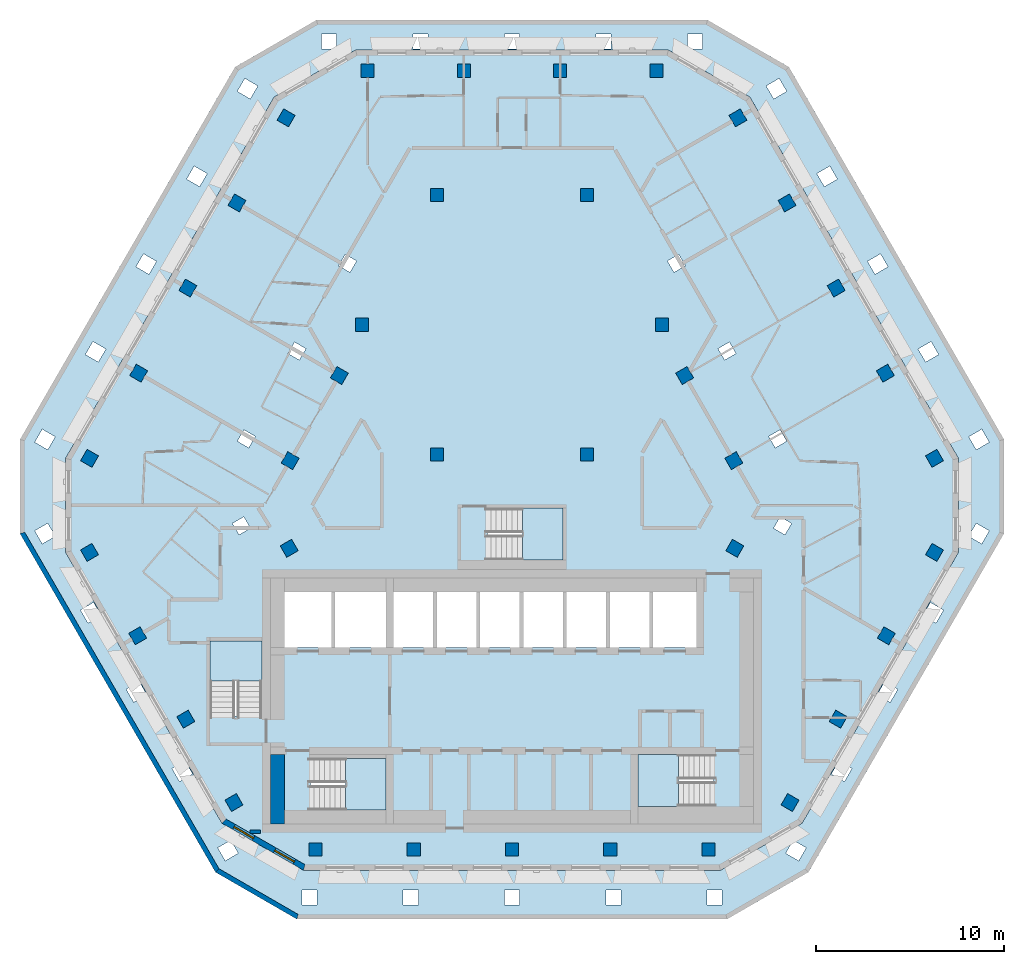
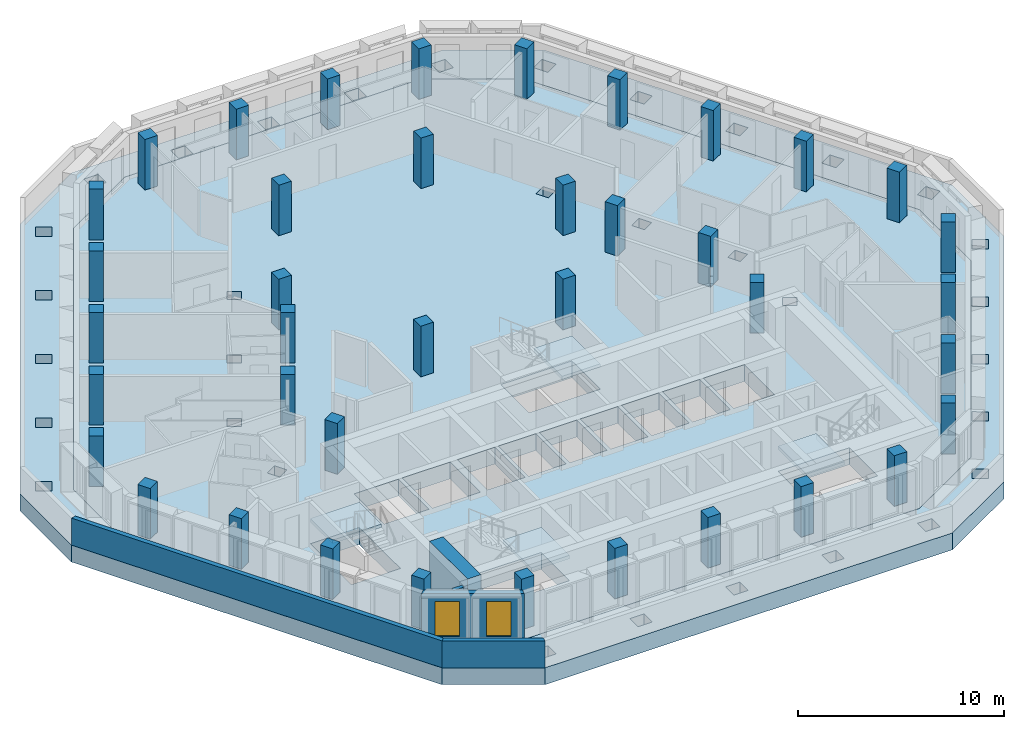
# One storey, part 1 of 15: 39 columns, 6 slabs, 5 walls, 2 windows, 2 openings, 4 elements without a shape of their own.
"""IFC4 building model written with IfcOpenShell, lengths in metres."""

from ifc_helpers import new_model, si_unit, direction, frame, frame_2d, origin, origin_2d, place, context, subcontext, project, spatial, polyline, rectangle, outline, extrude, material, layer, layer_set, material_profile, profile_set, type_object, element, fill, aggregate, save


model = new_model("IFC4")

# Units and contexts
model_context = context("Model", 3, precision=1e-05, world=origin(), true_north=direction((0.0, 1.0)))
body_context = subcontext(model_context, "Body", "Model", "MODEL_VIEW")
ifc_project = project(units=[si_unit("LENGTHUNIT", "METRE"), si_unit("AREAUNIT", "SQUARE_METRE"), si_unit("VOLUMEUNIT", "CUBIC_METRE"), si_unit("PLANEANGLEUNIT", "RADIAN"), si_unit("MASSUNIT", "GRAM", prefix="KILO")], contexts=[model_context])

# Site, building, storey
site_placement = place(None, origin())
site = spatial("IfcSite", under=ifc_project, at=site_placement, CompositionType="ELEMENT")
building_placement = place(site_placement, origin())
building = spatial("IfcBuilding", under=site, at=building_placement, Name="Beryl Residences", CompositionType="ELEMENT")
storey_placement = place(building_placement, frame((0.0, 0.0, 202.800048828125)))
storey = spatial("IfcBuildingStorey", under=building, at=storey_placement, Name="L62", CompositionType="ELEMENT", Elevation=202.800048828125)

# Columns
ifc_material_1 = material(Name="Concrete C50/60", Category="concrete")
ifc_material_profile_1 = material_profile(ifc_material_1, rectangle(XDim=0.699951171875, YDim=0.699951171875, at=origin_2d()))
ifc_profile_set_1 = profile_set([ifc_material_profile_1], Name="Concrete C50/60")
column_type_1 = type_object("IfcColumnType", Name="C5 tube column 700 x 700 C50/60", PredefinedType="COLUMN", material=ifc_profile_set_1)
for number, where, z_axis, x_axis, name in (
    (1, (7.678955078125, 21.5, 0.0), (0.0, 0.0, 1.0), (-1.0, 0.0, 0.0), "C5-N1 L62"),
    (2, (2.56005859375, 21.5, 0.0), (0.0, 0.0, 1.0), (-1.0, 0.0, 0.0), "C5-N2 L62"),
    (3, (-2.55908203125, 21.5, 0.0), (0.0, 0.0, 1.0), (-1.0, 0.0, 0.0), "C5-N3 L62"),
    (4, (-7.677978515625, 21.5, 0.0), (0.0, 0.0, 1.0), (-1.0, 0.0, 0.0), "C5-N4 L62"),
    (5, (-12.009033203125, 19.0, 0.0), (0.0, 0.0, 1.0), (-0.499969769706, -0.866042856549, 0.0), "C5-NW1 L62"),
    (6, (-14.62109375, 14.47509765625, 0.0), (0.0, 0.0, 1.0), (-0.499969769706, -0.866042856549, 0.0), "C5-NW2 L62"),
    (7, (-17.23291015625, 9.949951171875, 0.0), (0.0, 0.0, 1.0), (-0.499969769706, -0.866042856549, 0.0), "C5-NW3 L62"),
    (8, (-19.845947265625, 5.425048828125, 0.0), (0.0, 0.0, 1.0), (-0.499969769706, -0.866042856549, 0.0), "C5-NW4 L62"),
    (9, (-22.4580078125, 0.89990234375, 0.0), (0.0, 0.0, 1.0), (-0.499969769706, -0.866042856549, 0.0), "C5-NW5 L62"),
    (10, (-22.458984375, -4.10009765625, 0.0), (0.0, 0.0, 1.0), (0.499984884929, -0.866034130299, 0.0), "C5-SW1 L62"),
    (11, (-19.89892578125, -8.532958984375, 0.0), (0.0, 0.0, 1.0), (0.499984884929, -0.866034130299, 0.0), "C5-SW2 L62"),
    (12, (-17.340087890625, -12.966064453125, 0.0), (0.0, 0.0, 1.0), (0.499984884929, -0.866034130299, 0.0), "C5-SW3 L62"),
    (13, (-14.781005859375, -17.39892578125, 0.0), (0.0, 0.0, 1.0), (0.499984884929, -0.866034130299, 0.0), "C5-SW4 L62"),
    (14, (-10.449951171875, -19.89990234375, 0.0), (0.0, 0.0, 1.0), (1.0, 0.0, 0.0), "C5-S1 L62"),
    (15, (-5.22509765625, -19.89990234375, 0.0), (0.0, 0.0, 1.0), (1.0, 0.0, 0.0), "C5-S2 L62"),
    (16, (0.0, -19.89990234375, 0.0), (0.0, 0.0, 1.0), (1.0, 0.0, 0.0), "C5-S3 L62"),
    (17, (5.22509765625, -19.89990234375, 0.0), (0.0, 0.0, 1.0), (1.0, 0.0, 0.0), "C5-S4 L62"),
    (18, (10.449951171875, -19.89990234375, 0.0), (0.0, 0.0, 1.0), (1.0, 0.0, 0.0), "C5-S5 L62"),
    (19, (14.780029296875, -17.39990234375, 0.0), (0.0, 0.0, 1.0), (0.499984884929, 0.866034130299, 0.0), "C5-SE1 L62"),
    (20, (17.339111328125, -12.967041015625, 0.0), (0.0, 0.0, 1.0), (0.499984884929, 0.866034130299, 0.0), "C5-SE2 L62"),
    (21, (19.89892578125, -8.533935546875, 0.0), (0.0, 0.0, 1.0), (0.499984884929, 0.866034130299, 0.0), "C5-SE3 L62"),
    (22, (22.4580078125, -4.10107421875, 0.0), (0.0, 0.0, 1.0), (0.499984884929, 0.866034130299, 0.0), "C5-SE4 L62"),
    (23, (22.4580078125, 0.89990234375, 0.0), (0.0, 0.0, 1.0), (-0.499969769706, 0.866042856549, 0.0), "C5-NE1 L62"),
    (24, (19.845947265625, 5.425048828125, 0.0), (0.0, 0.0, 1.0), (-0.499969769706, 0.866042856549, 0.0), "C5-NE2 L62"),
    (25, (17.23291015625, 9.949951171875, 0.0), (0.0, 0.0, 1.0), (-0.499969769706, 0.866042856549, 0.0), "C5-NE3 L62"),
    (26, (14.62109375, 14.47509765625, 0.0), (0.0, 0.0, 1.0), (-0.499969769706, 0.866042856549, 0.0), "C5-NE4 L62"),
    (27, (12.009033203125, 19.0, 0.0), (0.0, 0.0, 1.0), (-0.499969769706, 0.866042856549, 0.0), "C5-NE5 L62"),
):
    element("IfcColumn", number, at=place(storey_placement, frame(where, z_axis=z_axis, x_axis=x_axis)), inside=storey, type_object=column_type_1, Name=name, PredefinedType="COLUMN", context=body_context, shape_type="SweptSolid", body=[
        extrude(rectangle(XDim=0.699951171875, YDim=0.699951171875, at=origin_2d()), origin(), (0.0, 0.0, 1.0), 3.0),
    ])
ifc_material_2 = material(Name="Concrete C50/60", Category="concrete")
ifc_material_profile_2 = material_profile(ifc_material_2, rectangle(XDim=0.699951171875, YDim=0.699951171875, at=origin_2d()))
ifc_profile_set_2 = profile_set([ifc_material_profile_2], Name="Concrete C50/60")
column_type_2 = type_object("IfcColumnType", Name="IC5 interior column 700 x 700 C50/60", PredefinedType="COLUMN", material=ifc_profile_set_2)
for number, where, z_axis, x_axis, name in (
    (28, (-11.844970703125, -3.883056640625, 0.0), (0.0, 0.0, 1.0), (0.499984884929, -0.866034130299, 0.0), "IC5-M01 L62"),
    (29, (11.844970703125, -3.884033203125, 0.0), (0.0, 0.0, 1.0), (0.499984884929, 0.866034130299, 0.0), "IC5-M02 L62"),
    (30, (11.7919921875, 0.77490234375, 0.0), (0.0, 0.0, 1.0), (-0.499969769706, 0.866042856549, 0.0), "IC5-M03 L62"),
    (31, (3.98388671875, 1.10009765625, 0.0), (0.0, 0.0, 1.0), (1.0, 0.0, 0.0), "IC5-A04 L62"),
    (32, (9.178955078125, 5.300048828125, 0.0), (0.0, 0.0, 1.0), (-0.499969769706, 0.866042856549, 0.0), "IC5-M05 L62"),
    (33, (7.967041015625, 8.0, 0.0), (0.0, 0.0, 1.0), (1.0, 0.0, 0.0), "IC5-A06 L62"),
    (34, (3.98388671875, 14.89990234375, 0.0), (0.0, 0.0, 1.0), (1.0, 0.0, 0.0), "IC5-A07 L62"),
    (35, (-3.98388671875, 14.89990234375, 0.0), (0.0, 0.0, 1.0), (1.0, 0.0, 0.0), "IC5-A08 L62"),
    (36, (-7.967041015625, 8.0, 0.0), (0.0, 0.0, 1.0), (1.0, 0.0, 0.0), "IC5-A09 L62"),
    (37, (-9.178955078125, 5.300048828125, 0.0), (0.0, 0.0, 1.0), (-0.499969769706, -0.866042856549, 0.0), "IC5-M10 L62"),
    (38, (-3.98388671875, 1.10009765625, 0.0), (0.0, 0.0, 1.0), (1.0, 0.0, 0.0), "IC5-A11 L62"),
    (39, (-11.7919921875, 0.77490234375, 0.0), (0.0, 0.0, 1.0), (-0.499969769706, -0.866042856549, 0.0), "IC5-M12 L62"),
):
    element("IfcColumn", number, at=place(storey_placement, frame(where, z_axis=z_axis, x_axis=x_axis)), inside=storey, type_object=column_type_2, Name=name, PredefinedType="COLUMN", context=body_context, shape_type="SweptSolid", body=[
        extrude(rectangle(XDim=0.699951171875, YDim=0.699951171875, at=origin_2d()), origin(), (0.0, 0.0, 1.0), 3.0),
    ])

# Slabs
ifc_material_3 = material(Name="Concrete C60/75", Category="concrete")
ifc_layer_1 = layer(ifc_material_3, 1.0)
ifc_layer_set_1 = layer_set([ifc_layer_1], Name="SL11 roof strip slab 1000 mm C60/75")
slab_type_1 = type_object("IfcSlabType", Name="SL11 roof strip slab 1000 mm C60/75", PredefinedType="ROOF", material=ifc_layer_set_1)
slab_1_placement = place(storey_placement, frame((0.0, 0.0, -1.0)))
element("IfcSlab", 40, at=slab_1_placement, inside=storey, type_object=slab_type_1, Name="roof L62 1 1", PredefinedType="ROOF", context=body_context, shape_type="SweptSolid", body=[
    extrude(outline(polyline([(26.154052734375, -3.10009765625), (15.760986328125, -21.10009765625), (11.430908203125, -23.60009765625), (-11.430908203125, -23.60009765625), (-15.760986328125, -21.10009765625), (-26.154052734375, -3.10009765625), (-26.154052734375, 1.89990234375), (-14.721923828125, 21.699951171875), (-10.39208984375, 24.199951171875), (10.39208984375, 24.199951171875), (14.721923828125, 21.699951171875), (26.154052734375, 1.89990234375), (26.154052734375, -3.10009765625)]), holes=[polyline([(25.3720703125, 1.75390625), (24.971923828125, 2.446044921875), (24.280029296875, 2.0458984375), (24.679931640625, 1.35400390625), (25.3720703125, 1.75390625)]), polyline([(25.37109375, -2.955078125), (24.678955078125, -2.554931640625), (24.279052734375, -3.2470703125), (24.970947265625, -3.64697265625), (25.37109375, -2.955078125)]), polyline([(8.314208984375, 22.60107421875), (-8.31396484375, 22.60107421875), (-12.64453125, 20.100830078125), (-23.72998046875, 0.900390625), (-23.72998046875, -4.10009765625), (-15.416015625, -18.50048828125), (-11.08544921875, -21.0009765625), (11.0849609375, -21.0009765625), (15.41552734375, -18.5009765625), (23.72998046875, -4.1005859375), (23.72998046875, 0.89990234375), (12.64501953125, 20.1005859375), (8.314208984375, 22.60107421875)]), polyline([(22.93896484375, -7.16796875), (22.2470703125, -6.76806640625), (21.846923828125, -7.4599609375), (22.5390625, -7.860107421875), (22.93896484375, -7.16796875)]), polyline([(22.679931640625, 6.416015625), (22.280029296875, 7.10791015625), (21.587890625, 6.7080078125), (21.988037109375, 6.01611328125), (22.679931640625, 6.416015625)]), polyline([(19.81494140625, -10.97998046875), (19.4150390625, -11.672119140625), (20.10693359375, -12.072021484375), (20.507080078125, -11.3798828125), (19.81494140625, -10.97998046875)]), polyline([(19.587890625, 11.77099609375), (18.89599609375, 11.37109375), (19.2958984375, 10.678955078125), (19.988037109375, 11.0791015625), (19.587890625, 11.77099609375)]), polyline([(17.675048828125, -16.283935546875), (18.074951171875, -15.592041015625), (17.383056640625, -15.19189453125), (16.98291015625, -15.884033203125), (17.675048828125, -16.283935546875)]), polyline([(17.2958984375, 15.741943359375), (16.89599609375, 16.43408203125), (16.2041015625, 16.033935546875), (16.60400390625, 15.342041015625), (17.2958984375, 15.741943359375)]), polyline([(15.242919921875, -20.4970703125), (15.64306640625, -19.804931640625), (14.950927734375, -19.405029296875), (14.551025390625, -20.096923828125), (15.242919921875, -20.4970703125)]), polyline([(14.60400390625, 20.404052734375), (14.2041015625, 21.095947265625), (13.511962890625, 20.696044921875), (13.912109375, 20.00390625), (14.60400390625, 20.404052734375)]), polyline([(11.1689453125, -22.85009765625), (11.1689453125, -22.050048828125), (10.368896484375, -22.050048828125), (10.368896484375, -22.85009765625), (11.1689453125, -22.85009765625)]), polyline([(10.1279296875, 23.449951171875), (9.327880859375, 23.449951171875), (9.327880859375, 22.64990234375), (10.1279296875, 22.64990234375), (10.1279296875, 23.449951171875)]), polyline([(4.985107421875, -22.85009765625), (5.784912109375, -22.85009765625), (5.784912109375, -22.050048828125), (4.985107421875, -22.050048828125), (4.985107421875, -22.85009765625)]), polyline([(5.263916015625, 23.449951171875), (4.464111328125, 23.449951171875), (4.464111328125, 22.64990234375), (5.263916015625, 22.64990234375), (5.263916015625, 23.449951171875)]), polyline([(0.40087890625, -22.050048828125), (-0.39892578125, -22.050048828125), (-0.39892578125, -22.85009765625), (0.40087890625, -22.85009765625), (0.40087890625, -22.050048828125)]), polyline([(-0.39990234375, 22.64990234375), (0.39990234375, 22.64990234375), (0.39990234375, 23.449951171875), (-0.39990234375, 23.449951171875), (-0.39990234375, 22.64990234375)]), polyline([(-4.464111328125, 23.449951171875), (-5.263916015625, 23.449951171875), (-5.263916015625, 22.64990234375), (-4.464111328125, 22.64990234375), (-4.464111328125, 23.449951171875)]), polyline([(-5.782958984375, -22.85009765625), (-4.98291015625, -22.85009765625), (-4.98291015625, -22.050048828125), (-5.782958984375, -22.050048828125), (-5.782958984375, -22.85009765625)]), polyline([(-9.327880859375, 23.449951171875), (-10.1279296875, 23.449951171875), (-10.1279296875, 22.64990234375), (-9.327880859375, 22.64990234375), (-9.327880859375, 23.449951171875)]), polyline([(-10.366943359375, -22.050048828125), (-11.1669921875, -22.050048828125), (-11.1669921875, -22.85009765625), (-10.366943359375, -22.85009765625), (-10.366943359375, -22.050048828125)]), polyline([(-14.60400390625, 20.404052734375), (-13.912109375, 20.00390625), (-13.511962890625, 20.696044921875), (-14.2041015625, 21.095947265625), (-14.60400390625, 20.404052734375)]), polyline([(-15.243896484375, -20.4951171875), (-14.552001953125, -20.094970703125), (-14.951904296875, -19.403076171875), (-15.64404296875, -19.802978515625), (-15.243896484375, -20.4951171875)]), polyline([(-17.2958984375, 15.741943359375), (-16.60400390625, 15.342041015625), (-16.2041015625, 16.033935546875), (-16.89599609375, 16.43408203125), (-17.2958984375, 15.741943359375)]), polyline([(-17.676025390625, -16.281982421875), (-16.98388671875, -15.882080078125), (-17.384033203125, -15.18994140625), (-18.075927734375, -15.590087890625), (-17.676025390625, -16.281982421875)]), polyline([(-19.2958984375, 10.678955078125), (-18.89599609375, 11.37109375), (-19.587890625, 11.77099609375), (-19.988037109375, 11.0791015625), (-19.2958984375, 10.678955078125)]), polyline([(-20.508056640625, -11.3779296875), (-20.10791015625, -12.070068359375), (-19.416015625, -11.669921875), (-19.81591796875, -10.97802734375), (-20.508056640625, -11.3779296875)]), polyline([(-22.280029296875, 7.10791015625), (-22.679931640625, 6.416015625), (-21.988037109375, 6.01611328125), (-21.587890625, 6.7080078125), (-22.280029296875, 7.10791015625)]), polyline([(-22.5400390625, -7.85791015625), (-21.847900390625, -7.4580078125), (-22.248046875, -6.76611328125), (-22.93994140625, -7.166015625), (-22.5400390625, -7.85791015625)]), polyline([(-24.971923828125, 2.446044921875), (-25.3720703125, 1.75390625), (-24.679931640625, 1.35400390625), (-24.280029296875, 2.0458984375), (-24.971923828125, 2.446044921875)]), polyline([(-24.971923828125, -3.64501953125), (-24.280029296875, -3.2451171875), (-24.679931640625, -2.552978515625), (-25.3720703125, -2.952880859375), (-24.971923828125, -3.64501953125)])]), origin(), (0.0, 0.0, 1.0), 1.0),
])
ifc_material_4 = material(Name="Concrete C60/75", Category="concrete")
ifc_layer_2 = layer(ifc_material_4, 1.0)
ifc_layer_set_2 = layer_set([ifc_layer_2], Name="SL9 transfer plate 1000 mm C60/75")
slab_type_2 = type_object("IfcSlabType", Name="SL9 transfer plate 1000 mm C60/75", PredefinedType="FLOOR", material=ifc_layer_set_2)
slab_2_placement = place(storey_placement, frame((0.0, 0.0, -1.0)))
element("IfcSlab", 41, at=slab_2_placement, inside=storey, type_object=slab_type_2, Name="L62 slab 1", PredefinedType="FLOOR", context=body_context, shape_type="SweptSolid", body=[
    extrude(outline(polyline([(23.72900390625, 0.89990234375), (23.72900390625, -4.10009765625), (15.4150390625, -18.5), (11.0849609375, -21.0), (-11.0849609375, -21.0), (-15.4150390625, -18.5), (-23.72900390625, -4.10009765625), (-23.72900390625, 0.89990234375), (-12.64404296875, 20.10009765625), (-8.31396484375, 22.60009765625), (8.31396484375, 22.60009765625), (12.64404296875, 20.10009765625), (23.72900390625, 0.89990234375)]), holes=[polyline([(14.510009765625, -3.1669921875), (14.860107421875, -2.56103515625), (14.25390625, -2.2109375), (13.904052734375, -2.81689453125), (14.510009765625, -3.1669921875)]), polyline([(14.2509765625, 2.4150390625), (13.64501953125, 2.06494140625), (13.9951171875, 1.458984375), (14.60107421875, 1.80908203125), (14.2509765625, 2.4150390625)]), polyline([(11.908935546875, 6.471923828125), (11.55908203125, 7.077880859375), (10.952880859375, 6.72802734375), (11.302978515625, 6.1220703125), (11.908935546875, 6.471923828125)]), polyline([(10.699951171875, -14.85009765625), (6.699951171875, -14.85009765625), (6.699951171875, -17.60009765625), (10.699951171875, -17.60009765625), (10.699951171875, -14.85009765625)]), polyline([(7.5, -6.199951171875), (7.5, -9.14990234375), (9.800048828125, -9.14990234375), (9.800048828125, -6.199951171875), (7.5, -6.199951171875)]), polyline([(8.866943359375, 11.740966796875), (8.260986328125, 11.39111328125), (8.611083984375, 10.784912109375), (9.217041015625, 11.135009765625), (8.866943359375, 11.740966796875)]), polyline([(7.616943359375, 7.64990234375), (8.31689453125, 7.64990234375), (8.31689453125, 8.35009765625), (7.616943359375, 8.35009765625), (7.616943359375, 7.64990234375)]), polyline([(5.199951171875, -6.199951171875), (5.199951171875, -9.14990234375), (7.300048828125, -9.14990234375), (7.300048828125, -6.199951171875), (5.199951171875, -6.199951171875)]), polyline([(2.89990234375, -9.14990234375), (5.0, -9.14990234375), (5.0, -6.199951171875), (2.89990234375, -6.199951171875), (2.89990234375, -9.14990234375)]), polyline([(4.333984375, 0.75), (4.333984375, 1.449951171875), (3.634033203125, 1.449951171875), (3.634033203125, 0.75), (4.333984375, 0.75)]), polyline([(3.634033203125, 14.550048828125), (4.333984375, 14.550048828125), (4.333984375, 15.25), (3.634033203125, 15.25), (3.634033203125, 14.550048828125)]), polyline([(-1.300048828125, -4.5), (2.699951171875, -4.5), (2.699951171875, -1.75), (-1.300048828125, -1.75), (-1.300048828125, -4.5)]), polyline([(0.60009765625, -6.199951171875), (0.60009765625, -9.14990234375), (2.699951171875, -9.14990234375), (2.699951171875, -6.199951171875), (0.60009765625, -6.199951171875)]), polyline([(0.39990234375, -9.14990234375), (0.39990234375, -6.199951171875), (-1.699951171875, -6.199951171875), (-1.699951171875, -9.14990234375), (0.39990234375, -9.14990234375)]), polyline([(-4.0, -6.199951171875), (-4.0, -9.14990234375), (-1.89990234375, -9.14990234375), (-1.89990234375, -6.199951171875), (-4.0, -6.199951171875)]), polyline([(-3.634033203125, 14.550048828125), (-3.634033203125, 15.25), (-4.333984375, 15.25), (-4.333984375, 14.550048828125), (-3.634033203125, 14.550048828125)]), polyline([(-4.333984375, 0.75), (-3.634033203125, 0.75), (-3.634033203125, 1.449951171875), (-4.333984375, 1.449951171875), (-4.333984375, 0.75)]), polyline([(-6.300048828125, -6.199951171875), (-6.300048828125, -9.14990234375), (-4.199951171875, -9.14990234375), (-4.199951171875, -6.199951171875), (-6.300048828125, -6.199951171875)]), polyline([(-6.699951171875, -9.14990234375), (-6.699951171875, -6.199951171875), (-9.39990234375, -6.199951171875), (-9.39990234375, -9.14990234375), (-6.699951171875, -9.14990234375)]), polyline([(-6.699951171875, -15.050048828125), (-10.699951171875, -15.050048828125), (-10.699951171875, -17.800048828125), (-6.699951171875, -17.800048828125), (-6.699951171875, -15.050048828125)]), polyline([(-8.31689453125, 7.64990234375), (-7.616943359375, 7.64990234375), (-7.616943359375, 8.35009765625), (-8.31689453125, 8.35009765625), (-8.31689453125, 7.64990234375)]), polyline([(-9.217041015625, 11.135009765625), (-8.611083984375, 10.784912109375), (-8.260986328125, 11.39111328125), (-8.866943359375, 11.740966796875), (-9.217041015625, 11.135009765625)]), polyline([(-12.10009765625, -6.199951171875), (-12.10009765625, -9.14990234375), (-9.60009765625, -9.14990234375), (-9.60009765625, -6.199951171875), (-12.10009765625, -6.199951171875)]), polyline([(-11.55908203125, 7.077880859375), (-11.908935546875, 6.471923828125), (-11.302978515625, 6.1220703125), (-10.952880859375, 6.72802734375), (-11.55908203125, 7.077880859375)]), polyline([(-13.300048828125, -12.800048828125), (-13.300048828125, -8.800048828125), (-16.050048828125, -8.800048828125), (-16.050048828125, -12.800048828125), (-13.300048828125, -12.800048828125)]), polyline([(-14.60107421875, 1.80908203125), (-13.9951171875, 1.458984375), (-13.64501953125, 2.06494140625), (-14.2509765625, 2.4150390625), (-14.60107421875, 1.80908203125)]), polyline([(-14.861083984375, -2.55908203125), (-14.510986328125, -3.1650390625), (-13.905029296875, -2.81494140625), (-14.2548828125, -2.208984375), (-14.861083984375, -2.55908203125)])]), origin(), (0.0, 0.0, 1.0), 1.0),
])

# Stair, slab
ifc_material_5 = material(Name="Concrete C40/50", Category="concrete")
stair_type = type_object("IfcStairType", Name="ST1 protected exit stair, half-turn, 1300 mm flights", PredefinedType="HALF_TURN_STAIR", material=ifc_material_5)
stair_1_placement = place(storey_placement, origin())
stair_1 = element("IfcStair", 42, at=stair_1_placement, inside=storey, type_object=stair_type, Name="L62 PROTECTED EXIT STAIR ST-1", PredefinedType="HALF_TURN_STAIR")
ifc_material_6 = material(Name="Concrete C40/50", Category="concrete")
ifc_layer_3 = layer(ifc_material_6, 0.199951171875)
ifc_layer_set_3 = layer_set([ifc_layer_3], Name="SLD1 stair landing 200 mm")
slab_type_3 = type_object("IfcSlabType", Name="SLD1 stair landing 200 mm", PredefinedType="LANDING", material=ifc_layer_set_3)
slab_3_placement = place(storey_placement, frame((0.0, 0.0, 1.300048828125)))
slab_3 = element("IfcSlab", 43, at=slab_3_placement, type_object=slab_type_3, Name="ST-1 landing 1", PredefinedType="LANDING", context=body_context, shape_type="SweptSolid", body=[
    extrude(outline(polyline([(-8.840087890625, -17.800048828125), (-6.699951171875, -17.800048828125), (-6.699951171875, -15.050048828125), (-8.840087890625, -15.050048828125), (-8.840087890625, -17.800048828125)])), origin(), (0.0, 0.0, 1.0), 0.199951171875),
])
aggregate(stair_1, [slab_3])

stair_2_placement = place(storey_placement, origin())
stair_2 = element("IfcStair", 44, at=stair_2_placement, inside=storey, type_object=stair_type, Name="L62 PROTECTED EXIT STAIR ST-2", PredefinedType="HALF_TURN_STAIR")
slab_4_placement = place(storey_placement, frame((0.0, 0.0, 1.300048828125)))
slab_4 = element("IfcSlab", 45, at=slab_4_placement, type_object=slab_type_3, Name="ST-2 landing 1", PredefinedType="LANDING", context=body_context, shape_type="SweptSolid", body=[
    extrude(outline(polyline([(-13.300048828125, -10.93994140625), (-13.300048828125, -8.800048828125), (-16.050048828125, -8.800048828125), (-16.050048828125, -10.93994140625), (-13.300048828125, -10.93994140625)])), origin(), (0.0, 0.0, 1.0), 0.199951171875),
])
aggregate(stair_2, [slab_4])

stair_3_placement = place(storey_placement, origin())
stair_3 = element("IfcStair", 46, at=stair_3_placement, inside=storey, type_object=stair_type, Name="L62 PROTECTED EXIT STAIR ST-3", PredefinedType="HALF_TURN_STAIR")
slab_5_placement = place(storey_placement, frame((0.0, 0.0, 1.300048828125)))
slab_5 = element("IfcSlab", 47, at=slab_5_placement, type_object=slab_type_3, Name="ST-3 landing 1", PredefinedType="LANDING", context=body_context, shape_type="SweptSolid", body=[
    extrude(outline(polyline([(8.840087890625, -14.85009765625), (6.699951171875, -14.85009765625), (6.699951171875, -17.60009765625), (8.840087890625, -17.60009765625), (8.840087890625, -14.85009765625)])), origin(), (0.0, 0.0, 1.0), 0.199951171875),
])
aggregate(stair_3, [slab_5])

stair_4_placement = place(storey_placement, origin())
stair_4 = element("IfcStair", 48, at=stair_4_placement, inside=storey, type_object=stair_type, Name="L62 PROTECTED EXIT STAIR ST-4", PredefinedType="HALF_TURN_STAIR")
slab_6_placement = place(storey_placement, frame((0.0, 0.0, 1.300048828125)))
slab_6 = element("IfcSlab", 49, at=slab_6_placement, type_object=slab_type_3, Name="ST-4 landing 1", PredefinedType="LANDING", context=body_context, shape_type="SweptSolid", body=[
    extrude(outline(polyline([(0.56005859375, -4.5), (2.699951171875, -4.5), (2.699951171875, -1.75), (0.56005859375, -1.75), (0.56005859375, -4.5)])), origin(), (0.0, 0.0, 1.0), 0.199951171875),
])
aggregate(stair_4, [slab_6])

# Wall, openings, windows
ifc_material_7 = material(Name="Composite metal panel with mineral wool insulation")
ifc_layer_4 = layer(ifc_material_7, 0.300048828125)
ifc_layer_set_4 = layer_set([ifc_layer_4], Name="ES1 pale metal composite panel wall 300 mm")
wall_type_1 = type_object("IfcWallType", Name="ES1 pale metal composite panel wall 300 mm", PredefinedType="SOLIDWALL", material=ifc_layer_set_4)
wall_1_placement = place(storey_placement, frame((-15.340087890625, -18.3701171875, 0.0), z_axis=(0.0, 0.0, 1.0), x_axis=(0.866022959057, -0.500004234368, 0.0)))
wall_1 = element("IfcWall", 50, at=wall_1_placement, inside=storey, type_object=wall_type_1, Name="ES1 external wall L62 SW-S", PredefinedType="SOLIDWALL", context=body_context, shape_type="SweptSolid", body=[
    extrude(outline(polyline([(0.0, -0.14990234375), (5.0, -0.14990234375), (4.919677734375, 0.14990234375), (0.080322265625, 0.14990234375), (0.0, -0.14990234375)])), origin(), (0.0, 0.0, 1.0), 2.699951171875),
])
opening_1_placement = place(wall_1_placement, frame((0.64990234375, 0.0, 0.14990234375)))
opening_1 = element("IfcOpeningElement", 51, at=opening_1_placement, cuts=wall_1, Name="Opening W2", PredefinedType="OPENING", context=body_context, shape_type="SweptSolid", body=[
    extrude(rectangle(XDim=1.199951171875, YDim=2.10009765625, at=frame_2d((0.60009765625, 1.050048828125))), frame((0.0, 0.159912109375, 0.0), z_axis=(0.0, -1.0, 0.0), x_axis=(1.0, 0.0, 0.0)), (0.0, 0.0, 1.0), 0.320068359375),
])
opening_2_placement = place(wall_1_placement, frame((3.14990234375, 0.0, 0.14990234375)))
opening_2 = element("IfcOpeningElement", 52, at=opening_2_placement, cuts=wall_1, Name="Opening W2", PredefinedType="OPENING", context=body_context, shape_type="SweptSolid", body=[
    extrude(rectangle(XDim=1.199951171875, YDim=2.10009765625, at=frame_2d((0.60009765625, 1.050048828125))), frame((0.0, 0.159912109375, 0.0), z_axis=(0.0, -1.0, 0.0), x_axis=(1.0, 0.0, 0.0)), (0.0, 0.0, 1.0), 0.320068359375),
])
ifc_material_8 = material(Name="Aluminium and clear glass", Category="aluminium")
window_type = type_object("IfcWindowType", Name="W2 chamfer window 1200 x 2100 mm", PartitioningType="SINGLE_PANEL", PredefinedType="WINDOW", material=ifc_material_8)
window_1_placement = place(opening_1_placement, origin())
window_1 = element("IfcWindow", 53, at=window_1_placement, inside=storey, type_object=window_type, Name="W2 window L62 SW-S 1", OverallHeight=2.10009765625, OverallWidth=1.199951171875, PartitioningType="SINGLE_PANEL", PredefinedType="WINDOW", context=body_context, shape_type="SweptSolid", body=[
    extrude(rectangle(XDim=1.199951171875, YDim=2.10009765625, at=frame_2d((0.60009765625, 1.050048828125))), frame((0.0, 0.030029296875, 0.0), z_axis=(0.0, -1.0, 0.0), x_axis=(1.0, 0.0, 0.0)), (0.0, 0.0, 1.0), 0.06005859375),
])
fill(opening_1, window_1)
window_2_placement = place(opening_2_placement, origin())
window_2 = element("IfcWindow", 54, at=window_2_placement, inside=storey, type_object=window_type, Name="W2 window L62 SW-S 2", OverallHeight=2.10009765625, OverallWidth=1.199951171875, PartitioningType="SINGLE_PANEL", PredefinedType="WINDOW", context=body_context, shape_type="SweptSolid", body=[
    extrude(rectangle(XDim=1.199951171875, YDim=2.10009765625, at=frame_2d((0.60009765625, 1.050048828125))), frame((0.0, 0.030029296875, 0.0), z_axis=(0.0, -1.0, 0.0), x_axis=(1.0, 0.0, 0.0)), (0.0, 0.0, 1.0), 0.06005859375),
])
fill(opening_2, window_2)

# Walls
ifc_material_9 = material(Name="Precast concrete C40/50", Category="concrete")
ifc_layer_5 = layer(ifc_material_9, 0.25)
ifc_layer_set_5 = layer_set([ifc_layer_5], Name="PA1 roof parapet 250 mm")
wall_type_2 = type_object("IfcWallType", Name="PA1 roof parapet 250 mm", PredefinedType="PARAPET", material=ifc_layer_set_5)
wall_2_placement = place(storey_placement, frame((-11.368896484375, -23.491943359375, 0.0), z_axis=(0.0, 0.0, 1.0), x_axis=(-0.865889515344, 0.500235291855, 0.0)))
element("IfcWall", 55, at=wall_2_placement, inside=storey, type_object=wall_type_2, Name="PA1 parapet L62 strip 7", PredefinedType="PARAPET", context=body_context, shape_type="SweptSolid", body=[
    extrude(outline(polyline([(0.06689453125, -0.125), (4.9326171875, -0.125), (4.99951171875, 0.125), (0.0, 0.125), (0.06689453125, -0.125)])), origin(), (0.0, 0.0, 1.0), 1.599853515625),
])
wall_3_placement = place(storey_placement, frame((-15.652099609375, -21.037109375, 0.0), z_axis=(0.0, 0.0, 1.0), x_axis=(-0.500074253024, 0.865982529536, 0.0)))
element("IfcWall", 56, at=wall_3_placement, inside=storey, type_object=wall_type_2, Name="PA1 parapet L62 strip 8", PredefinedType="PARAPET", context=body_context, shape_type="SweptSolid", body=[
    extrude(outline(polyline([(0.06689453125, -0.125), (20.717529296875, -0.125), (20.784423828125, 0.125), (0.0, 0.125), (0.06689453125, -0.125)])), origin(), (0.0, 0.0, 1.0), 1.599853515625),
])
ifc_material_10 = material(Name="Acoustic double stud gypsum board wall")
ifc_layer_6 = layer(ifc_material_10, 0.199951171875)
ifc_layer_set_6 = layer_set([ifc_layer_6], Name="PT3 party wall 200 mm acoustic double stud")
wall_type_3 = type_object("IfcWallType", Name="PT3 party wall 200 mm acoustic double stud", PredefinedType="PARTITIONING", material=ifc_layer_set_6)
wall_4_placement = place(storey_placement, frame((-13.9150390625, -18.949951171875, 0.0), z_axis=(0.0, 0.0, 1.0), x_axis=(1.0, 0.0, 0.0)))
element("IfcWall", 57, at=wall_4_placement, inside=storey, type_object=wall_type_3, Name="Wall PT3 L62 008", PredefinedType="PARTITIONING", context=body_context, shape_type="SweptSolid", body=[
    extrude(rectangle(XDim=0.554931640625, YDim=0.199951171875, at=frame_2d((0.27734375, 0.0))), origin(), (0.0, 0.0, 1.0), 2.699951171875),
])
ifc_material_11 = material(Name="Concrete C40/50", Category="concrete")
ifc_layer_7 = layer(ifc_material_11, 0.75)
ifc_layer_set_7 = layer_set([ifc_layer_7], Name="PT5-750 stair enclosure wall 750 mm")
wall_type_4 = type_object("IfcWallType", Name="PT5-750 stair enclosure wall 750 mm", PredefinedType="SOLIDWALL", material=ifc_layer_set_7)
wall_5_placement = place(storey_placement, frame((-12.47509765625, -18.550048828125, 0.0), z_axis=(0.0, 0.0, 1.0), x_axis=(0.0, 1.0, 0.0)))
element("IfcWall", 58, at=wall_5_placement, inside=storey, type_object=wall_type_4, Name="Stair wall 04", PredefinedType="SOLIDWALL", context=body_context, shape_type="SweptSolid", body=[
    extrude(rectangle(XDim=3.699951171875, YDim=0.75, at=frame_2d((1.85009765625, 0.0))), origin(), (0.0, 0.0, 1.0), 2.699951171875),
])

save(model, "model.ifc")
